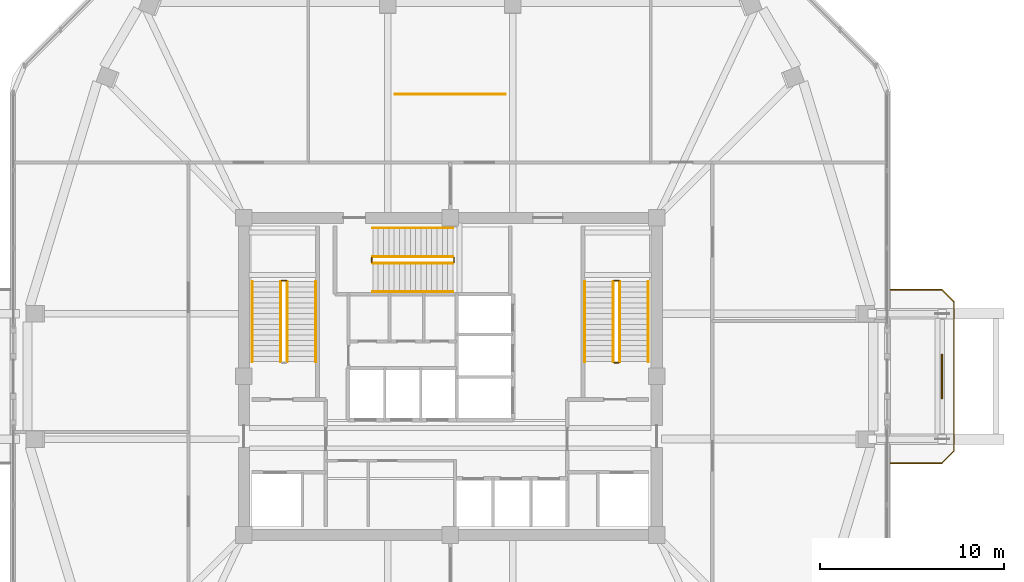
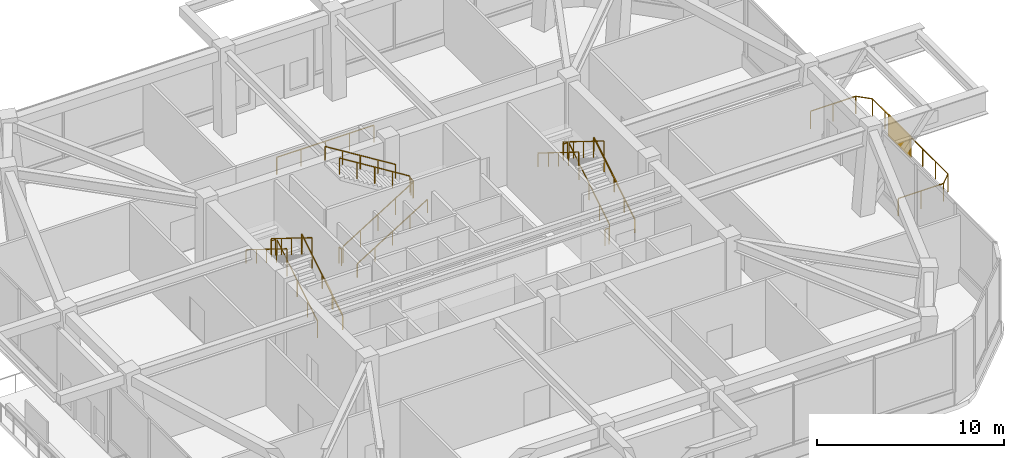
# One storey, part 13 of 14: 19 railings, 1 shading device.
"""IFC4 building model written with IfcOpenShell, lengths in metres."""

from ifc_helpers import new_model, si_unit, derived_unit, direction, frame, origin, origin_2d, place, context, subcontext, project, spatial, rectangle, extrude, material, layer, layer_set, type_object, element, save


model = new_model("IFC4")

# Units and contexts
model_context = context("Model", 3, precision=1e-05, world=origin(), true_north=direction((0.0, 1.0)))
body_context = subcontext(model_context, "Body", "Model", "MODEL_VIEW")
ifc_project = project(units=[si_unit("LENGTHUNIT", "METRE"), si_unit("AREAUNIT", "SQUARE_METRE"), si_unit("VOLUMEUNIT", "CUBIC_METRE"), si_unit("PLANEANGLEUNIT", "RADIAN"), si_unit("MASSUNIT", "GRAM", prefix="KILO"), derived_unit("THERMALTRANSMITTANCEUNIT", [(si_unit("POWERUNIT", "WATT"), 1), (si_unit("LENGTHUNIT", "METRE"), -2), (si_unit("THERMODYNAMICTEMPERATUREUNIT", "KELVIN"), -1)])], contexts=[model_context])

# Site, building, storey
site_placement = place(None, origin())
site = spatial("IfcSite", under=ifc_project, at=site_placement, CompositionType="ELEMENT")
building_placement = place(site_placement, origin())
building = spatial("IfcBuilding", under=site, at=building_placement, Name="Koralith Skygarden Medical Center", CompositionType="ELEMENT")
storey_placement = place(building_placement, frame((0.0, 0.0, 182.699951171875)))
storey = spatial("IfcBuildingStorey", under=building, at=storey_placement, Name="L47", CompositionType="ELEMENT", Elevation=182.699951171875)

# Railings
ifc_material_1 = material(Name="Clear Laminated Glass", Category="glass")
railing_type_1 = type_object("IfcRailingType", Name="Atrium & Sky-Lobby Glass Balustrade 1150", PredefinedType="BALUSTRADE", material=ifc_material_1)
railing_1_placement = place(storey_placement, frame((34.0, 41.199951171875, 0.0)))
element("IfcRailing", 1, at=railing_1_placement, inside=storey, type_object=railing_type_1, Name="L47 Sky-Lobby Conservatory Gallery Balustrade", PredefinedType="BALUSTRADE", context=body_context, shape_type="SweptSolid", body=[
    extrude(rectangle(XDim=0.050048828125, YDim=0.050048828125, at=origin_2d()), frame((0.001953125, 0.0, 1.125), z_axis=(1.0, 0.0, 0.0), x_axis=(0.0, 1.0, 0.0)), (0.0, 0.0, 1.0), 5.99609375),
    extrude(rectangle(XDim=0.0419921875, YDim=0.0419921875, at=origin_2d()), origin(), (0.0, 0.0, 1.0), 1.097900390625),
    extrude(rectangle(XDim=0.0419921875, YDim=0.0419921875, at=origin_2d()), frame((1.5, 0.0, 0.0)), (0.0, 0.0, 1.0), 1.097900390625),
    extrude(rectangle(XDim=0.0419921875, YDim=0.0419921875, at=origin_2d()), frame((3.0, 0.0, 0.0)), (0.0, 0.0, 1.0), 1.097900390625),
    extrude(rectangle(XDim=0.0419921875, YDim=0.0419921875, at=origin_2d()), frame((4.5, 0.0, 0.0)), (0.0, 0.0, 1.0), 1.097900390625),
    extrude(rectangle(XDim=0.0419921875, YDim=0.0419921875, at=origin_2d()), frame((6.0, 0.0, 0.0)), (0.0, 0.0, 1.0), 1.097900390625),
])
ifc_material_2 = material(Name="Steel ASTM A500 Grade C", Category="steel")
railing_type_2 = type_object("IfcRailingType", Name="Outdoor Terrace & Balcony Safety Guardrail 1180", PredefinedType="GUARDRAIL", material=ifc_material_2)
railing_2_placement = place(storey_placement, frame((60.876953125, 21.199951171875, 0.0)))
element("IfcRailing", 2, at=railing_2_placement, inside=storey, type_object=railing_type_2, Name="L47 E Balcony Perimeter Guardrail", PredefinedType="GUARDRAIL", context=body_context, shape_type="SweptSolid", body=[
    extrude(rectangle(XDim=0.050048828125, YDim=0.050048828125, at=origin_2d()), frame((0.001953125, 0.0, 1.15478515625), z_axis=(1.0, 0.0, 0.0), x_axis=(0.0, 1.0, 0.0)), (0.0, 0.0, 1.0), 2.796142578125),
    extrude(rectangle(XDim=0.050048828125, YDim=0.050048828125, at=origin_2d()), frame((2.801513671875, 0.00146484375, 1.15478515625), z_axis=(0.706973978714, 0.707239558722, 0.0), x_axis=(-0.707239558722, 0.706973978714, 0.0)), (0.0, 0.0, 1.0), 0.915283203125),
    extrude(rectangle(XDim=0.050048828125, YDim=0.050048828125, at=origin_2d()), frame((3.449951171875, 0.652099609375, 1.15478515625), z_axis=(0.0, 1.0, 0.0), x_axis=(-1.0, 0.0, 0.0)), (0.0, 0.0, 1.0), 8.095947265625),
    extrude(rectangle(XDim=0.050048828125, YDim=0.050048828125, at=origin_2d()), frame((3.448486328125, 8.75146484375, 1.15478515625), z_axis=(-0.706973978714, 0.707239558722, 0.0), x_axis=(-0.707239558722, -0.706973978714, 0.0)), (0.0, 0.0, 1.0), 0.915283203125),
    extrude(rectangle(XDim=0.050048828125, YDim=0.050048828125, at=origin_2d()), frame((2.798095703125, 9.400146484375, 1.15478515625), z_axis=(-1.0, 0.0, 0.0), x_axis=(0.0, -1.0, 0.0)), (0.0, 0.0, 1.0), 2.796142578125),
    extrude(rectangle(XDim=0.0419921875, YDim=0.0419921875, at=origin_2d()), origin(), (0.0, 0.0, 1.0), 1.1279296875),
    extrude(rectangle(XDim=0.0419921875, YDim=0.0419921875, at=origin_2d()), frame((1.39990234375, 0.0, 0.0)), (0.0, 0.0, 1.0), 1.1279296875),
    extrude(rectangle(XDim=0.0419921875, YDim=0.0419921875, at=origin_2d()), frame((2.800048828125, 0.0, 0.0)), (0.0, 0.0, 1.0), 1.1279296875),
    extrude(rectangle(XDim=0.0419921875, YDim=0.0419921875, at=origin_2d()), frame((3.449951171875, 0.650146484375, 0.0)), (0.0, 0.0, 1.0), 1.1279296875),
    extrude(rectangle(XDim=0.0419921875, YDim=0.0419921875, at=origin_2d()), frame((3.449951171875, 2.0, 0.0)), (0.0, 0.0, 1.0), 1.1279296875),
    extrude(rectangle(XDim=0.0419921875, YDim=0.0419921875, at=origin_2d()), frame((3.449951171875, 3.35009765625, 0.0)), (0.0, 0.0, 1.0), 1.1279296875),
    extrude(rectangle(XDim=0.0419921875, YDim=0.0419921875, at=origin_2d()), frame((3.449951171875, 4.7001953125, 0.0)), (0.0, 0.0, 1.0), 1.1279296875),
    extrude(rectangle(XDim=0.0419921875, YDim=0.0419921875, at=origin_2d()), frame((3.449951171875, 6.050048828125, 0.0)), (0.0, 0.0, 1.0), 1.1279296875),
    extrude(rectangle(XDim=0.0419921875, YDim=0.0419921875, at=origin_2d()), frame((3.449951171875, 7.39990234375, 0.0)), (0.0, 0.0, 1.0), 1.1279296875),
    extrude(rectangle(XDim=0.0419921875, YDim=0.0419921875, at=origin_2d()), frame((3.449951171875, 8.75, 0.0)), (0.0, 0.0, 1.0), 1.1279296875),
    extrude(rectangle(XDim=0.0419921875, YDim=0.0419921875, at=origin_2d()), frame((2.800048828125, 9.400146484375, 0.0)), (0.0, 0.0, 1.0), 1.1279296875),
    extrude(rectangle(XDim=0.0419921875, YDim=0.0419921875, at=origin_2d()), frame((1.39990234375, 9.400146484375, 0.0)), (0.0, 0.0, 1.0), 1.1279296875),
    extrude(rectangle(XDim=0.0419921875, YDim=0.0419921875, at=origin_2d()), frame((0.0, 9.400146484375, 0.0)), (0.0, 0.0, 1.0), 1.1279296875),
])

# Shading device
ifc_material_3 = material(Name="Aluminium 6063-T6", Category="aluminium")
ifc_layer = layer(ifc_material_3, 0.080078125)
ifc_layer_set = layer_set([ifc_layer], Name="Aluminium 6063-T6")
shading_device_type = type_object("IfcShadingDeviceType", Name="Perforated Biophilic Balcony Trellis Screen", PredefinedType="USERDEFINED", material=ifc_layer_set)
shading_device_placement = place(storey_placement, frame((63.677001953125, 25.89990234375, 0.72021484375), z_axis=(0.0, 0.0, 1.0), x_axis=(0.0, 1.0, 0.0)))
element("IfcShadingDevice", 3, at=shading_device_placement, inside=storey, type_object=shading_device_type, Name="L47 E Biophilic Balcony Trellis Screen", ObjectType="HURRICANE SCREEN", PredefinedType="USERDEFINED", context=body_context, shape_type="SweptSolid", body=[
    extrude(rectangle(XDim=2.39990234375, YDim=0.080078125, at=origin_2d()), origin(), (0.0, 0.0, 1.0), 1.39990234375),
])

# Railings
railing_type_3 = type_object("IfcRailingType", Name="Stair Flight Tubular Handrail 920", PredefinedType="HANDRAIL", material=ifc_material_2)
railing_3_placement = place(storey_placement, frame((29.699951171875, 26.699951171875, 0.179931640625)))
element("IfcRailing", 4, at=railing_3_placement, inside=storey, type_object=railing_type_3, Name="L47 ST1 stair handrail 1", PredefinedType="HANDRAIL", context=body_context, shape_type="SweptSolid", body=[
    extrude(rectangle(XDim=0.050048828125, YDim=0.050048828125, at=origin_2d()), frame((0.0, 0.001708984375, 0.89599609375), z_axis=(0.0, 0.849628378081, 0.527381853271), x_axis=(-1.0, 0.0, 0.0)), (0.0, 0.0, 1.0), 5.115966796875),
    extrude(rectangle(XDim=0.0419921875, YDim=0.0419921875, at=origin_2d()), origin(), (0.0, 0.0, 1.0), 0.867919921875),
    extrude(rectangle(XDim=0.0419921875, YDim=0.0419921875, at=origin_2d()), frame((0.0, 1.08740234375, 0.675048828125)), (0.0, 0.0, 1.0), 0.867919921875),
    extrude(rectangle(XDim=0.0419921875, YDim=0.0419921875, at=origin_2d()), frame((0.0, 2.175048828125, 1.35009765625)), (0.0, 0.0, 1.0), 0.867919921875),
    extrude(rectangle(XDim=0.0419921875, YDim=0.0419921875, at=origin_2d()), frame((0.0, 3.2626953125, 2.025146484375)), (0.0, 0.0, 1.0), 0.867919921875),
    extrude(rectangle(XDim=0.0419921875, YDim=0.0419921875, at=origin_2d()), frame((0.0, 4.35009765625, 2.7001953125)), (0.0, 0.0, 1.0), 0.867919921875),
])
railing_4_placement = place(storey_placement, frame((26.25, 31.050048828125, 3.06005859375)))
element("IfcRailing", 5, at=railing_4_placement, inside=storey, type_object=railing_type_3, Name="L47 ST1 stair handrail 2", PredefinedType="HANDRAIL", context=body_context, shape_type="SweptSolid", body=[
    extrude(rectangle(XDim=0.050048828125, YDim=0.050048828125, at=origin_2d()), frame((0.0, -0.001708984375, 0.89599609375), z_axis=(0.0, -0.849649743971, 0.527347430608), x_axis=(1.0, 0.0, 0.0)), (0.0, 0.0, 1.0), 5.115966796875),
    extrude(rectangle(XDim=0.0419921875, YDim=0.0419921875, at=origin_2d()), origin(), (0.0, 0.0, 1.0), 0.867919921875),
    extrude(rectangle(XDim=0.0419921875, YDim=0.0419921875, at=origin_2d()), frame((0.0, -1.08740234375, 0.675048828125)), (0.0, 0.0, 1.0), 0.867919921875),
    extrude(rectangle(XDim=0.0419921875, YDim=0.0419921875, at=origin_2d()), frame((0.0, -2.175048828125, 1.35009765625)), (0.0, 0.0, 1.0), 0.867919921875),
    extrude(rectangle(XDim=0.0419921875, YDim=0.0419921875, at=origin_2d()), frame((0.0, -3.2626953125, 2.02490234375)), (0.0, 0.0, 1.0), 0.867919921875),
    extrude(rectangle(XDim=0.0419921875, YDim=0.0419921875, at=origin_2d()), frame((0.0, -4.35009765625, 2.699951171875)), (0.0, 0.0, 1.0), 0.867919921875),
])
railing_5_placement = place(storey_placement, frame((47.75, 26.699951171875, 0.179931640625)))
element("IfcRailing", 6, at=railing_5_placement, inside=storey, type_object=railing_type_3, Name="L47 ST2 stair handrail 1", PredefinedType="HANDRAIL", context=body_context, shape_type="SweptSolid", body=[
    extrude(rectangle(XDim=0.050048828125, YDim=0.050048828125, at=origin_2d()), frame((0.0, 0.001708984375, 0.89599609375), z_axis=(0.0, 0.849628378081, 0.527381853271), x_axis=(-1.0, 0.0, 0.0)), (0.0, 0.0, 1.0), 5.115966796875),
    extrude(rectangle(XDim=0.0419921875, YDim=0.0419921875, at=origin_2d()), origin(), (0.0, 0.0, 1.0), 0.867919921875),
    extrude(rectangle(XDim=0.0419921875, YDim=0.0419921875, at=origin_2d()), frame((0.0, 1.08740234375, 0.675048828125)), (0.0, 0.0, 1.0), 0.867919921875),
    extrude(rectangle(XDim=0.0419921875, YDim=0.0419921875, at=origin_2d()), frame((0.0, 2.175048828125, 1.35009765625)), (0.0, 0.0, 1.0), 0.867919921875),
    extrude(rectangle(XDim=0.0419921875, YDim=0.0419921875, at=origin_2d()), frame((0.0, 3.2626953125, 2.025146484375)), (0.0, 0.0, 1.0), 0.867919921875),
    extrude(rectangle(XDim=0.0419921875, YDim=0.0419921875, at=origin_2d()), frame((0.0, 4.35009765625, 2.7001953125)), (0.0, 0.0, 1.0), 0.867919921875),
])
railing_6_placement = place(storey_placement, frame((44.300048828125, 31.050048828125, 3.06005859375)))
element("IfcRailing", 7, at=railing_6_placement, inside=storey, type_object=railing_type_3, Name="L47 ST2 stair handrail 2", PredefinedType="HANDRAIL", context=body_context, shape_type="SweptSolid", body=[
    extrude(rectangle(XDim=0.050048828125, YDim=0.050048828125, at=origin_2d()), frame((0.0, -0.001708984375, 0.89599609375), z_axis=(0.0, -0.849649743971, 0.527347430608), x_axis=(1.0, 0.0, 0.0)), (0.0, 0.0, 1.0), 5.115966796875),
    extrude(rectangle(XDim=0.0419921875, YDim=0.0419921875, at=origin_2d()), origin(), (0.0, 0.0, 1.0), 0.867919921875),
    extrude(rectangle(XDim=0.0419921875, YDim=0.0419921875, at=origin_2d()), frame((0.0, -1.08740234375, 0.675048828125)), (0.0, 0.0, 1.0), 0.867919921875),
    extrude(rectangle(XDim=0.0419921875, YDim=0.0419921875, at=origin_2d()), frame((0.0, -2.175048828125, 1.35009765625)), (0.0, 0.0, 1.0), 0.867919921875),
    extrude(rectangle(XDim=0.0419921875, YDim=0.0419921875, at=origin_2d()), frame((0.0, -3.2626953125, 2.02490234375)), (0.0, 0.0, 1.0), 0.867919921875),
    extrude(rectangle(XDim=0.0419921875, YDim=0.0419921875, at=origin_2d()), frame((0.0, -4.35009765625, 2.699951171875)), (0.0, 0.0, 1.0), 0.867919921875),
])
railing_7_placement = place(storey_placement, frame((32.800048828125, 30.5, 0.179931640625)))
element("IfcRailing", 8, at=railing_7_placement, inside=storey, type_object=railing_type_3, Name="L47 ST3 stair handrail 1", PredefinedType="HANDRAIL", context=body_context, shape_type="SweptSolid", body=[
    extrude(rectangle(XDim=0.050048828125, YDim=0.050048828125, at=origin_2d()), frame((0.001708984375, 0.0, 0.89599609375), z_axis=(0.849615114927, 0.0, 0.52740322002), x_axis=(0.0, 1.0, 0.0)), (0.0, 0.0, 1.0), 5.11572265625),
    extrude(rectangle(XDim=0.0419921875, YDim=0.0419921875, at=origin_2d()), origin(), (0.0, 0.0, 1.0), 0.867919921875),
    extrude(rectangle(XDim=0.0419921875, YDim=0.0419921875, at=origin_2d()), frame((1.08740234375, 0.0, 0.675048828125)), (0.0, 0.0, 1.0), 0.867919921875),
    extrude(rectangle(XDim=0.0419921875, YDim=0.0419921875, at=origin_2d()), frame((2.1748046875, 0.0, 1.35009765625)), (0.0, 0.0, 1.0), 0.867919921875),
    extrude(rectangle(XDim=0.0419921875, YDim=0.0419921875, at=origin_2d()), frame((3.262451171875, 0.0, 2.025146484375)), (0.0, 0.0, 1.0), 0.867919921875),
    extrude(rectangle(XDim=0.0419921875, YDim=0.0419921875, at=origin_2d()), frame((4.349853515625, 0.0, 2.7001953125)), (0.0, 0.0, 1.0), 0.867919921875),
])
railing_8_placement = place(storey_placement, frame((37.14990234375, 33.949951171875, 3.06005859375)))
element("IfcRailing", 9, at=railing_8_placement, inside=storey, type_object=railing_type_3, Name="L47 ST3 stair handrail 2", PredefinedType="HANDRAIL", context=body_context, shape_type="SweptSolid", body=[
    extrude(rectangle(XDim=0.050048828125, YDim=0.050048828125, at=origin_2d()), frame((-0.001708984375, 0.0, 0.89599609375), z_axis=(-0.849636482215, 0.0, 0.527368797038), x_axis=(0.0, -1.0, 0.0)), (0.0, 0.0, 1.0), 5.11572265625),
    extrude(rectangle(XDim=0.0419921875, YDim=0.0419921875, at=origin_2d()), origin(), (0.0, 0.0, 1.0), 0.867919921875),
    extrude(rectangle(XDim=0.0419921875, YDim=0.0419921875, at=origin_2d()), frame((-1.08740234375, 0.0, 0.675048828125)), (0.0, 0.0, 1.0), 0.867919921875),
    extrude(rectangle(XDim=0.0419921875, YDim=0.0419921875, at=origin_2d()), frame((-2.1748046875, 0.0, 1.35009765625)), (0.0, 0.0, 1.0), 0.867919921875),
    extrude(rectangle(XDim=0.0419921875, YDim=0.0419921875, at=origin_2d()), frame((-3.262451171875, 0.0, 2.02490234375)), (0.0, 0.0, 1.0), 0.867919921875),
    extrude(rectangle(XDim=0.0419921875, YDim=0.0419921875, at=origin_2d()), frame((-4.349853515625, 0.0, 2.699951171875)), (0.0, 0.0, 1.0), 0.867919921875),
])
railing_type_4 = type_object("IfcRailingType", Name="Stair Well Safety Guardrail 1100", PredefinedType="GUARDRAIL", material=ifc_material_2)
railing_9_placement = place(storey_placement, frame((28.14990234375, 26.699951171875, 0.179931640625)))
element("IfcRailing", 10, at=railing_9_placement, inside=storey, type_object=railing_type_4, Name="L47 ST1 stair guard 1", PredefinedType="GUARDRAIL", context=body_context, shape_type="SweptSolid", body=[
    extrude(rectangle(XDim=0.050048828125, YDim=0.050048828125, at=origin_2d()), frame((0.0, 0.001708984375, 1.076171875), z_axis=(0.0, 0.849628378081, 0.527381853271), x_axis=(-1.0, 0.0, 0.0)), (0.0, 0.0, 1.0), 5.115966796875),
    extrude(rectangle(XDim=0.0419921875, YDim=0.0419921875, at=origin_2d()), origin(), (0.0, 0.0, 1.0), 1.048095703125),
    extrude(rectangle(XDim=0.0419921875, YDim=0.0419921875, at=origin_2d()), frame((0.0, 1.08740234375, 0.675048828125)), (0.0, 0.0, 1.0), 1.048095703125),
    extrude(rectangle(XDim=0.0419921875, YDim=0.0419921875, at=origin_2d()), frame((0.0, 2.175048828125, 1.35009765625)), (0.0, 0.0, 1.0), 1.048095703125),
    extrude(rectangle(XDim=0.0419921875, YDim=0.0419921875, at=origin_2d()), frame((0.0, 3.2626953125, 2.025146484375)), (0.0, 0.0, 1.0), 1.048095703125),
    extrude(rectangle(XDim=0.0419921875, YDim=0.0419921875, at=origin_2d()), frame((0.0, 4.35009765625, 2.7001953125)), (0.0, 0.0, 1.0), 1.048095703125),
])
railing_10_placement = place(storey_placement, frame((28.10009765625, 31.10009765625, 2.880126953125)))
element("IfcRailing", 11, at=railing_10_placement, inside=storey, type_object=railing_type_4, Name="L47 ST1 stair guard 2", PredefinedType="GUARDRAIL", context=body_context, shape_type="SweptSolid", body=[
    extrude(rectangle(XDim=0.050048828125, YDim=0.050048828125, at=origin_2d()), frame((-0.001953125, 0.0, 1.0751953125), z_axis=(-1.0, 0.0, 0.0), x_axis=(0.0, -1.0, 0.0)), (0.0, 0.0, 1.0), 0.24609375),
    extrude(rectangle(XDim=0.0419921875, YDim=0.0419921875, at=origin_2d()), origin(), (0.0, 0.0, 1.0), 1.048095703125),
    extrude(rectangle(XDim=0.0419921875, YDim=0.0419921875, at=origin_2d()), frame((-0.25, 0.0, 0.0)), (0.0, 0.0, 1.0), 1.048095703125),
])
railing_11_placement = place(storey_placement, frame((27.800048828125, 31.050048828125, 3.06005859375)))
element("IfcRailing", 12, at=railing_11_placement, inside=storey, type_object=railing_type_4, Name="L47 ST1 stair guard 3", PredefinedType="GUARDRAIL", context=body_context, shape_type="SweptSolid", body=[
    extrude(rectangle(XDim=0.050048828125, YDim=0.050048828125, at=origin_2d()), frame((0.0, -0.001708984375, 1.076171875), z_axis=(0.0, -0.849649743971, 0.527347430608), x_axis=(1.0, 0.0, 0.0)), (0.0, 0.0, 1.0), 5.115966796875),
    extrude(rectangle(XDim=0.0419921875, YDim=0.0419921875, at=origin_2d()), origin(), (0.0, 0.0, 1.0), 1.048095703125),
    extrude(rectangle(XDim=0.0419921875, YDim=0.0419921875, at=origin_2d()), frame((0.0, -1.08740234375, 0.675048828125)), (0.0, 0.0, 1.0), 1.048095703125),
    extrude(rectangle(XDim=0.0419921875, YDim=0.0419921875, at=origin_2d()), frame((0.0, -2.175048828125, 1.35009765625)), (0.0, 0.0, 1.0), 1.048095703125),
    extrude(rectangle(XDim=0.0419921875, YDim=0.0419921875, at=origin_2d()), frame((0.0, -3.2626953125, 2.02490234375)), (0.0, 0.0, 1.0), 1.048095703125),
    extrude(rectangle(XDim=0.0419921875, YDim=0.0419921875, at=origin_2d()), frame((0.0, -4.35009765625, 2.699951171875)), (0.0, 0.0, 1.0), 1.048095703125),
])
railing_12_placement = place(storey_placement, frame((46.199951171875, 26.699951171875, 0.179931640625)))
element("IfcRailing", 13, at=railing_12_placement, inside=storey, type_object=railing_type_4, Name="L47 ST2 stair guard 1", PredefinedType="GUARDRAIL", context=body_context, shape_type="SweptSolid", body=[
    extrude(rectangle(XDim=0.050048828125, YDim=0.050048828125, at=origin_2d()), frame((0.0, 0.001708984375, 1.076171875), z_axis=(0.0, 0.849628378081, 0.527381853271), x_axis=(-1.0, 0.0, 0.0)), (0.0, 0.0, 1.0), 5.115966796875),
    extrude(rectangle(XDim=0.0419921875, YDim=0.0419921875, at=origin_2d()), origin(), (0.0, 0.0, 1.0), 1.048095703125),
    extrude(rectangle(XDim=0.0419921875, YDim=0.0419921875, at=origin_2d()), frame((0.0, 1.08740234375, 0.675048828125)), (0.0, 0.0, 1.0), 1.048095703125),
    extrude(rectangle(XDim=0.0419921875, YDim=0.0419921875, at=origin_2d()), frame((0.0, 2.175048828125, 1.35009765625)), (0.0, 0.0, 1.0), 1.048095703125),
    extrude(rectangle(XDim=0.0419921875, YDim=0.0419921875, at=origin_2d()), frame((0.0, 3.2626953125, 2.025146484375)), (0.0, 0.0, 1.0), 1.048095703125),
    extrude(rectangle(XDim=0.0419921875, YDim=0.0419921875, at=origin_2d()), frame((0.0, 4.35009765625, 2.7001953125)), (0.0, 0.0, 1.0), 1.048095703125),
])
railing_13_placement = place(storey_placement, frame((46.14990234375, 31.10009765625, 2.880126953125)))
element("IfcRailing", 14, at=railing_13_placement, inside=storey, type_object=railing_type_4, Name="L47 ST2 stair guard 2", PredefinedType="GUARDRAIL", context=body_context, shape_type="SweptSolid", body=[
    extrude(rectangle(XDim=0.050048828125, YDim=0.050048828125, at=origin_2d()), frame((-0.001953125, 0.0, 1.0751953125), z_axis=(-1.0, 0.0, 0.0), x_axis=(0.0, -1.0, 0.0)), (0.0, 0.0, 1.0), 0.24609375),
    extrude(rectangle(XDim=0.0419921875, YDim=0.0419921875, at=origin_2d()), origin(), (0.0, 0.0, 1.0), 1.048095703125),
    extrude(rectangle(XDim=0.0419921875, YDim=0.0419921875, at=origin_2d()), frame((-0.25, 0.0, 0.0)), (0.0, 0.0, 1.0), 1.048095703125),
])
railing_14_placement = place(storey_placement, frame((45.85009765625, 31.050048828125, 3.06005859375)))
element("IfcRailing", 15, at=railing_14_placement, inside=storey, type_object=railing_type_4, Name="L47 ST2 stair guard 3", PredefinedType="GUARDRAIL", context=body_context, shape_type="SweptSolid", body=[
    extrude(rectangle(XDim=0.050048828125, YDim=0.050048828125, at=origin_2d()), frame((0.0, -0.001708984375, 1.076171875), z_axis=(0.0, -0.849649743971, 0.527347430608), x_axis=(1.0, 0.0, 0.0)), (0.0, 0.0, 1.0), 5.115966796875),
    extrude(rectangle(XDim=0.0419921875, YDim=0.0419921875, at=origin_2d()), origin(), (0.0, 0.0, 1.0), 1.048095703125),
    extrude(rectangle(XDim=0.0419921875, YDim=0.0419921875, at=origin_2d()), frame((0.0, -1.08740234375, 0.675048828125)), (0.0, 0.0, 1.0), 1.048095703125),
    extrude(rectangle(XDim=0.0419921875, YDim=0.0419921875, at=origin_2d()), frame((0.0, -2.175048828125, 1.35009765625)), (0.0, 0.0, 1.0), 1.048095703125),
    extrude(rectangle(XDim=0.0419921875, YDim=0.0419921875, at=origin_2d()), frame((0.0, -3.2626953125, 2.02490234375)), (0.0, 0.0, 1.0), 1.048095703125),
    extrude(rectangle(XDim=0.0419921875, YDim=0.0419921875, at=origin_2d()), frame((0.0, -4.35009765625, 2.699951171875)), (0.0, 0.0, 1.0), 1.048095703125),
])
railing_15_placement = place(storey_placement, frame((46.14990234375, 26.64990234375, 0.0)))
element("IfcRailing", 16, at=railing_15_placement, inside=storey, type_object=railing_type_4, Name="L47 ST2 stair guard 4", PredefinedType="GUARDRAIL", context=body_context, shape_type="SweptSolid", body=[
    extrude(rectangle(XDim=0.050048828125, YDim=0.050048828125, at=origin_2d()), frame((-0.001953125, 0.0, 1.0751953125), z_axis=(-1.0, 0.0, 0.0), x_axis=(0.0, -1.0, 0.0)), (0.0, 0.0, 1.0), 0.24609375),
    extrude(rectangle(XDim=0.0419921875, YDim=0.0419921875, at=origin_2d()), origin(), (0.0, 0.0, 1.0), 1.048095703125),
    extrude(rectangle(XDim=0.0419921875, YDim=0.0419921875, at=origin_2d()), frame((-0.25, 0.0, 0.0)), (0.0, 0.0, 1.0), 1.048095703125),
])
railing_16_placement = place(storey_placement, frame((32.800048828125, 32.050048828125, 0.179931640625)))
element("IfcRailing", 17, at=railing_16_placement, inside=storey, type_object=railing_type_4, Name="L47 ST3 stair guard 1", PredefinedType="GUARDRAIL", context=body_context, shape_type="SweptSolid", body=[
    extrude(rectangle(XDim=0.050048828125, YDim=0.050048828125, at=origin_2d()), frame((0.001708984375, 0.0, 1.076171875), z_axis=(0.849615114927, 0.0, 0.52740322002), x_axis=(0.0, 1.0, 0.0)), (0.0, 0.0, 1.0), 5.11572265625),
    extrude(rectangle(XDim=0.0419921875, YDim=0.0419921875, at=origin_2d()), origin(), (0.0, 0.0, 1.0), 1.048095703125),
    extrude(rectangle(XDim=0.0419921875, YDim=0.0419921875, at=origin_2d()), frame((1.08740234375, 0.0, 0.675048828125)), (0.0, 0.0, 1.0), 1.048095703125),
    extrude(rectangle(XDim=0.0419921875, YDim=0.0419921875, at=origin_2d()), frame((2.1748046875, 0.0, 1.35009765625)), (0.0, 0.0, 1.0), 1.048095703125),
    extrude(rectangle(XDim=0.0419921875, YDim=0.0419921875, at=origin_2d()), frame((3.262451171875, 0.0, 2.025146484375)), (0.0, 0.0, 1.0), 1.048095703125),
    extrude(rectangle(XDim=0.0419921875, YDim=0.0419921875, at=origin_2d()), frame((4.349853515625, 0.0, 2.7001953125)), (0.0, 0.0, 1.0), 1.048095703125),
])
railing_17_placement = place(storey_placement, frame((37.199951171875, 32.10009765625, 2.880126953125)))
element("IfcRailing", 18, at=railing_17_placement, inside=storey, type_object=railing_type_4, Name="L47 ST3 stair guard 2", PredefinedType="GUARDRAIL", context=body_context, shape_type="SweptSolid", body=[
    extrude(rectangle(XDim=0.050048828125, YDim=0.050048828125, at=origin_2d()), frame((0.0, 0.001953125, 1.0751953125), z_axis=(0.0, 1.0, 0.0), x_axis=(-1.0, 0.0, 0.0)), (0.0, 0.0, 1.0), 0.24609375),
    extrude(rectangle(XDim=0.0419921875, YDim=0.0419921875, at=origin_2d()), origin(), (0.0, 0.0, 1.0), 1.048095703125),
    extrude(rectangle(XDim=0.0419921875, YDim=0.0419921875, at=origin_2d()), frame((0.0, 0.25, 0.0)), (0.0, 0.0, 1.0), 1.048095703125),
])
railing_18_placement = place(storey_placement, frame((37.14990234375, 32.39990234375, 3.06005859375)))
element("IfcRailing", 19, at=railing_18_placement, inside=storey, type_object=railing_type_4, Name="L47 ST3 stair guard 3", PredefinedType="GUARDRAIL", context=body_context, shape_type="SweptSolid", body=[
    extrude(rectangle(XDim=0.050048828125, YDim=0.050048828125, at=origin_2d()), frame((-0.001708984375, 0.0, 1.076171875), z_axis=(-0.849636482215, 0.0, 0.527368797038), x_axis=(0.0, -1.0, 0.0)), (0.0, 0.0, 1.0), 5.11572265625),
    extrude(rectangle(XDim=0.0419921875, YDim=0.0419921875, at=origin_2d()), origin(), (0.0, 0.0, 1.0), 1.048095703125),
    extrude(rectangle(XDim=0.0419921875, YDim=0.0419921875, at=origin_2d()), frame((-1.08740234375, 0.0, 0.675048828125)), (0.0, 0.0, 1.0), 1.048095703125),
    extrude(rectangle(XDim=0.0419921875, YDim=0.0419921875, at=origin_2d()), frame((-2.1748046875, 0.0, 1.35009765625)), (0.0, 0.0, 1.0), 1.048095703125),
    extrude(rectangle(XDim=0.0419921875, YDim=0.0419921875, at=origin_2d()), frame((-3.262451171875, 0.0, 2.02490234375)), (0.0, 0.0, 1.0), 1.048095703125),
    extrude(rectangle(XDim=0.0419921875, YDim=0.0419921875, at=origin_2d()), frame((-4.349853515625, 0.0, 2.699951171875)), (0.0, 0.0, 1.0), 1.048095703125),
])
railing_19_placement = place(storey_placement, frame((32.75, 32.10009765625, 0.0)))
element("IfcRailing", 20, at=railing_19_placement, inside=storey, type_object=railing_type_4, Name="L47 ST3 stair guard 4", PredefinedType="GUARDRAIL", context=body_context, shape_type="SweptSolid", body=[
    extrude(rectangle(XDim=0.050048828125, YDim=0.050048828125, at=origin_2d()), frame((0.0, 0.001953125, 1.0751953125), z_axis=(0.0, 1.0, 0.0), x_axis=(-1.0, 0.0, 0.0)), (0.0, 0.0, 1.0), 0.24609375),
    extrude(rectangle(XDim=0.0419921875, YDim=0.0419921875, at=origin_2d()), origin(), (0.0, 0.0, 1.0), 1.048095703125),
    extrude(rectangle(XDim=0.0419921875, YDim=0.0419921875, at=origin_2d()), frame((0.0, 0.25, 0.0)), (0.0, 0.0, 1.0), 1.048095703125),
])

save(model, "model.ifc")
